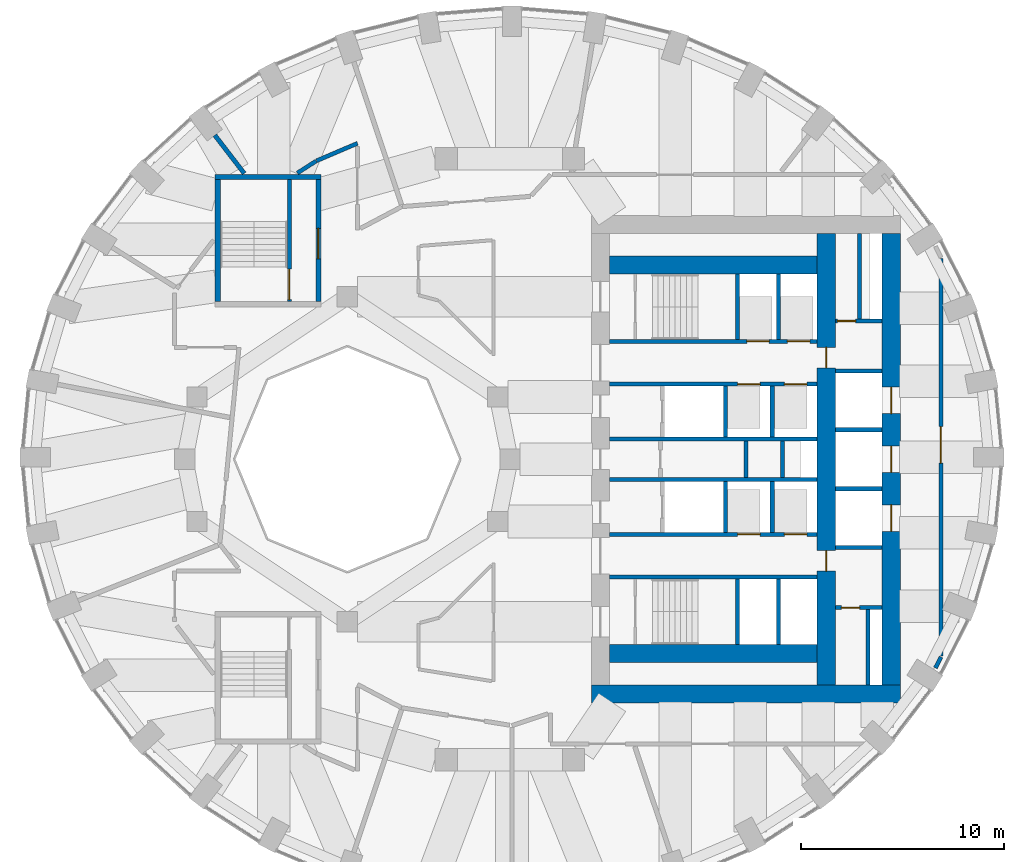
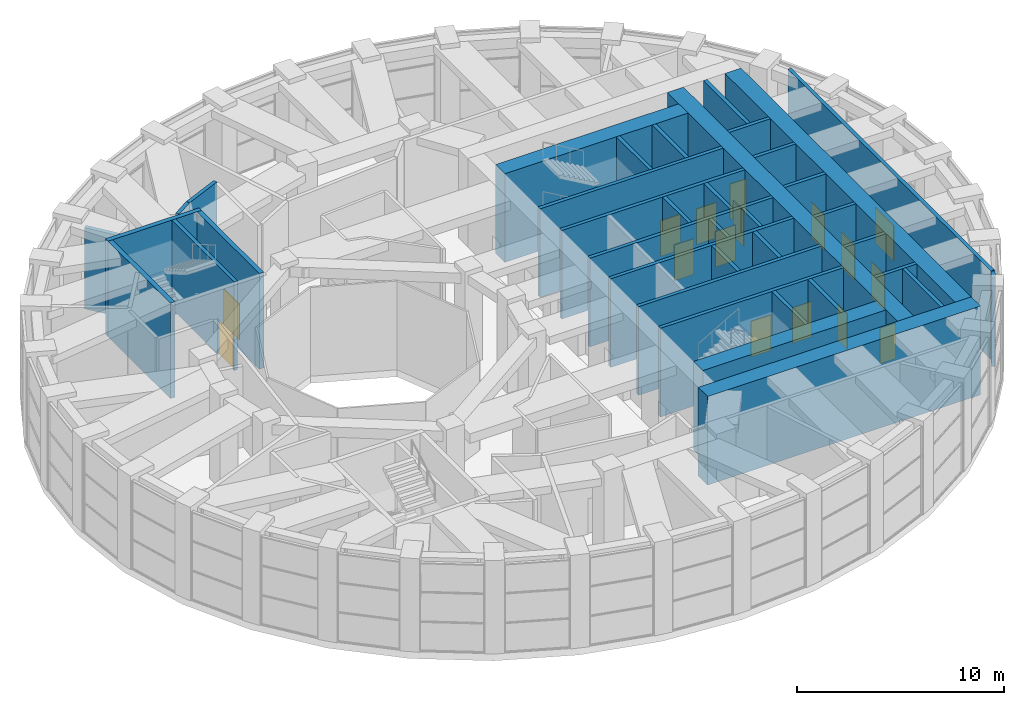
# One storey, part 13 of 17: 38 walls, 16 doors, 16 openings.
"""IFC4 building model written with IfcOpenShell, lengths in metres."""

from ifc_helpers import new_model, si_unit, direction, frame, frame_2d, origin, place, context, subcontext, project, spatial, rectangle, extrude, material, layer, layer_set, type_object, element, fill, save


model = new_model("IFC4")

# Units and contexts
model_context = context("Model", 3, precision=1e-05, world=origin(), true_north=direction((0.0, 1.0)))
body_context = subcontext(model_context, "Body", "Model", "MODEL_VIEW")
ifc_project = project(units=[si_unit("LENGTHUNIT", "METRE"), si_unit("AREAUNIT", "SQUARE_METRE"), si_unit("VOLUMEUNIT", "CUBIC_METRE"), si_unit("PLANEANGLEUNIT", "RADIAN"), si_unit("MASSUNIT", "GRAM", prefix="KILO")], contexts=[model_context])

# Site, building, storey
site_placement = place(None, origin())
site = spatial("IfcSite", under=ifc_project, at=site_placement, CompositionType="ELEMENT")
building_placement = place(site_placement, origin())
building = spatial("IfcBuilding", under=site, at=building_placement, Name="Taillehof Tower", CompositionType="ELEMENT")
storey_placement = place(building_placement, frame((0.0, 0.0, 139.60009765625)))
storey = spatial("IfcBuildingStorey", under=building, at=storey_placement, Name="L39", CompositionType="ELEMENT", Elevation=139.60009765625)

# Walls
ifc_material_1 = material(Name="Calcium silicate masonry", Category="masonry")
ifc_layer_1 = layer(ifc_material_1, 0.199951171875)
ifc_layer_set_1 = layer_set([ifc_layer_1], Name="Compartment wall calcium silicate 200")
wall_type_1 = type_object("IfcWallType", Name="Compartment wall calcium silicate 200", PredefinedType="PARTITIONING", material=ifc_layer_set_1)
for number, where, z_axis, x_axis, name in (
    (1, (11.60009765625, -0.89990234375, 0.0), (0.0, 0.0, 1.0), (0.0, 1.0, 0.0), "Compartment wall FW"),
    (2, (13.39990234375, -0.89990234375, 0.0), (0.0, 0.0, 1.0), (0.0, 1.0, 0.0), "Compartment wall FW"),
):
    element("IfcWall", number, at=place(storey_placement, frame(where, z_axis=z_axis, x_axis=x_axis)), inside=storey, type_object=wall_type_1, Name=name, PredefinedType="PARTITIONING", context=body_context, shape_type="SweptSolid", body=[
        extrude(rectangle(XDim=1.7998046875, YDim=0.199951171875, at=frame_2d((0.89990234375, 0.0))), origin(), (0.0, 0.0, 1.0), 5.219970703125),
    ])

# Wall, opening, door
wall_1_placement = place(storey_placement, frame((16.0, 6.800048828125, 0.0), z_axis=(0.0, 0.0, 1.0), x_axis=(1.0, 0.0, 0.0)))
wall_1 = element("IfcWall", 3, at=wall_1_placement, inside=storey, type_object=wall_type_1, Name="Compartment wall FW", PredefinedType="PARTITIONING", context=body_context, shape_type="SweptSolid", body=[
    extrude(rectangle(XDim=2.300048828125, YDim=0.199951171875, at=frame_2d((1.14990234375, 0.0))), origin(), (0.0, 0.0, 1.0), 5.219970703125),
])
opening_1_placement = place(wall_1_placement, frame((0.10009765625, 0.0, 0.0)))
opening_1 = element("IfcOpeningElement", 4, at=opening_1_placement, cuts=wall_1, Name="Opening D3914", PredefinedType="OPENING", context=body_context, shape_type="SweptSolid", body=[
    extrude(rectangle(XDim=0.89990234375, YDim=2.10009765625, at=frame_2d((0.449951171875, 1.050048828125))), frame((0.0, 0.10986328125, 0.0), z_axis=(0.0, -1.0, 0.0), x_axis=(1.0, 0.0, 0.0)), (0.0, 0.0, 1.0), 0.219970703125),
])
ifc_material_2 = material(Name="Steel-faced fire door", Category="steel")
door_type_1 = type_object("IfcDoorType", Name="Riser and service room door 900x2100", OperationType="SINGLE_SWING_LEFT", PredefinedType="DOOR", material=ifc_material_2)
door_1_placement = place(opening_1_placement, origin())
door_1 = element("IfcDoor", 5, at=door_1_placement, inside=storey, type_object=door_type_1, Name="Door Waste Room", OperationType="SINGLE_SWING_RIGHT", OverallHeight=2.10009765625, OverallWidth=0.89990234375, PredefinedType="DOOR", context=body_context, shape_type="SweptSolid", body=[
    extrude(rectangle(XDim=0.89990234375, YDim=2.10009765625, at=frame_2d((0.449951171875, 1.050048828125))), frame((0.0, 0.02490234375, 0.0), z_axis=(0.0, -1.0, 0.0), x_axis=(1.0, 0.0, 0.0)), (0.0, 0.0, 1.0), 0.050048828125),
])
fill(opening_1, door_1)

# Wall
wall_2_placement = place(storey_placement, frame((17.199951171875, 6.89990234375, 0.0), z_axis=(0.0, 0.0, 1.0), x_axis=(0.0, 1.0, 0.0)))
element("IfcWall", 6, at=wall_2_placement, inside=storey, type_object=wall_type_1, Name="Compartment wall FW", PredefinedType="PARTITIONING", context=body_context, shape_type="SweptSolid", body=[
    extrude(rectangle(XDim=4.2001953125, YDim=0.199951171875, at=frame_2d((2.10009765625, 0.0))), origin(), (0.0, 0.0, 1.0), 5.219970703125),
])

# Wall, opening, door
wall_3_placement = place(storey_placement, frame((16.0, -7.300048828125, 0.0), z_axis=(0.0, 0.0, 1.0), x_axis=(1.0, 0.0, 0.0)))
wall_3 = element("IfcWall", 7, at=wall_3_placement, inside=storey, type_object=wall_type_1, Name="Compartment wall FW", PredefinedType="PARTITIONING", context=body_context, shape_type="SweptSolid", body=[
    extrude(rectangle(XDim=2.300048828125, YDim=0.199951171875, at=frame_2d((1.14990234375, 0.0))), origin(), (0.0, 0.0, 1.0), 5.219970703125),
])
opening_2_placement = place(wall_3_placement, frame((0.300048828125, 0.0, 0.0)))
opening_2 = element("IfcOpeningElement", 8, at=opening_2_placement, cuts=wall_3, Name="Opening D3916", PredefinedType="OPENING", context=body_context, shape_type="SweptSolid", body=[
    extrude(rectangle(XDim=0.89990234375, YDim=2.10009765625, at=frame_2d((0.449951171875, 1.050048828125))), frame((0.0, 0.10986328125, 0.0), z_axis=(0.0, -1.0, 0.0), x_axis=(1.0, 0.0, 0.0)), (0.0, 0.0, 1.0), 0.219970703125),
])
door_2_placement = place(opening_2_placement, origin())
door_2 = element("IfcDoor", 9, at=door_2_placement, inside=storey, type_object=door_type_1, Name="Door Pump Room", OperationType="SINGLE_SWING_LEFT", OverallHeight=2.10009765625, OverallWidth=0.89990234375, PredefinedType="DOOR", context=body_context, shape_type="SweptSolid", body=[
    extrude(rectangle(XDim=0.89990234375, YDim=2.10009765625, at=frame_2d((0.449951171875, 1.050048828125))), frame((0.0, 0.02490234375, 0.0), z_axis=(0.0, -1.0, 0.0), x_axis=(1.0, 0.0, 0.0)), (0.0, 0.0, 1.0), 0.050048828125),
])
fill(opening_2, door_2)

# Walls
wall_4_placement = place(storey_placement, frame((17.60009765625, -11.10009765625, 0.0), z_axis=(0.0, 0.0, 1.0), x_axis=(0.0, 1.0, 0.0)))
element("IfcWall", 10, at=wall_4_placement, inside=storey, type_object=wall_type_1, Name="Compartment wall FW", PredefinedType="PARTITIONING", context=body_context, shape_type="SweptSolid", body=[
    extrude(rectangle(XDim=3.7001953125, YDim=0.199951171875, at=frame_2d((1.85009765625, 0.0))), origin(), (0.0, 0.0, 1.0), 5.219970703125),
])
ifc_material_3 = material(Name="Gypsum board on steel studs, two layers each side", Category="steel")
ifc_layer_2 = layer(ifc_material_3, 0.199951171875)
ifc_layer_set_2 = layer_set([ifc_layer_2], Name="Compartment wall corridor 200")
wall_type_2 = type_object("IfcWallType", Name="Compartment wall corridor 200", PredefinedType="PARTITIONING", material=ifc_layer_set_2)
wall_5_placement = place(storey_placement, frame((-10.457275390625, 14.076904296875, 0.0), z_axis=(0.0, 0.0, 1.0), x_axis=(0.841387536066, 0.540432247513, 0.0)))
element("IfcWall", 11, at=wall_5_placement, inside=storey, type_object=wall_type_2, Name="Compartment wall", PredefinedType="PARTITIONING", context=body_context, shape_type="SweptSolid", body=[
    extrude(rectangle(XDim=1.10009765625, YDim=0.199951171875, at=frame_2d((0.550048828125, 0.0))), origin(), (0.0, 0.0, 1.0), 5.219970703125),
])
wall_6_placement = place(storey_placement, frame((-9.513427734375, 14.67919921875, 0.0), z_axis=(0.0, 0.0, 1.0), x_axis=(0.919404318023, 0.39331374245, 0.0)))
element("IfcWall", 12, at=wall_6_placement, inside=storey, type_object=wall_type_2, Name="Compartment wall", PredefinedType="PARTITIONING", context=body_context, shape_type="SweptSolid", body=[
    extrude(rectangle(XDim=2.18994140625, YDim=0.199951171875, at=frame_2d((1.094970703125, 0.0))), origin(), (0.0, 0.0, 1.0), 5.219970703125),
])

# Wall, opening, door
wall_7_placement = place(storey_placement, frame((21.199951171875, 9.883056640625, 0.0), z_axis=(0.0, 0.0, 1.0), x_axis=(0.0, -1.0, 0.0)))
wall_7 = element("IfcWall", 13, at=wall_7_placement, inside=storey, type_object=wall_type_2, Name="Compartment wall", PredefinedType="PARTITIONING", context=body_context, shape_type="SweptSolid", body=[
    extrude(rectangle(XDim=19.566162109375, YDim=0.199951171875, at=frame_2d((9.783203125, 0.0))), origin(), (0.0, 0.0, 1.0), 5.219970703125),
])
opening_3_placement = place(wall_7_placement, frame((8.277099609375, 0.0, 0.0)))
opening_3 = element("IfcOpeningElement", 14, at=opening_3_placement, cuts=wall_7, Name="Opening D3951", PredefinedType="OPENING", context=body_context, shape_type="SweptSolid", body=[
    extrude(rectangle(XDim=1.800048828125, YDim=2.10009765625, at=frame_2d((0.89990234375, 1.050048828125))), frame((0.0, 0.10986328125, 0.0), z_axis=(0.0, -1.0, 0.0), x_axis=(1.0, 0.0, 0.0)), (0.0, 0.0, 1.0), 0.219970703125),
])
ifc_material_4 = material(Name="Timber door leaf in steel frame", Category="steel")
door_type_2 = type_object("IfcDoorType", Name="Lounge and meeting room double door EI 30 1800 x 2100", OperationType="SINGLE_SWING_LEFT", PredefinedType="DOOR", material=ifc_material_4)
door_3_placement = place(opening_3_placement, origin())
door_3 = element("IfcDoor", 15, at=door_3_placement, inside=storey, type_object=door_type_2, Name="D3951", OperationType="DOUBLE_DOOR_SINGLE_SWING", OverallHeight=2.10009765625, OverallWidth=1.800048828125, PredefinedType="DOOR", context=body_context, shape_type="SweptSolid", body=[
    extrude(rectangle(XDim=1.800048828125, YDim=2.10009765625, at=frame_2d((0.89990234375, 1.050048828125))), frame((0.0, 0.02490234375, 0.0), z_axis=(0.0, -1.0, 0.0), x_axis=(1.0, 0.0, 0.0)), (0.0, 0.0, 1.0), 0.050048828125),
])
fill(opening_3, door_3)

# Walls
wall_8_placement = place(storey_placement, frame((21.199951171875, -9.727294921875, 0.0), z_axis=(0.0, 0.0, 1.0), x_axis=(-0.453065758624, -0.89147709918, 0.0)))
element("IfcWall", 16, at=wall_8_placement, inside=storey, type_object=wall_type_2, Name="Compartment wall", PredefinedType="PARTITIONING", context=body_context, shape_type="SweptSolid", body=[
    extrude(rectangle(XDim=0.599853515625, YDim=0.199951171875, at=frame_2d((0.2998046875, 0.0))), origin(), (0.0, 0.0, 1.0), 5.219970703125),
])
ifc_material_5 = material(Name="Gypsum board on double steel studs with mineral wool", Category="steel")
ifc_layer_3 = layer(ifc_material_5, 0.219970703125)
ifc_layer_set_3 = layer_set([ifc_layer_3], Name="Compartment wall guest room 220")
wall_type_3 = type_object("IfcWallType", Name="Compartment wall guest room 220", PredefinedType="PARTITIONING", material=ifc_layer_set_3)
wall_9_placement = place(storey_placement, frame((-14.515869140625, 15.937255859375, 0.0), z_axis=(0.0, 0.0, 1.0), x_axis=(0.609954593316, -0.792436365958, 0.0)))
element("IfcWall", 17, at=wall_9_placement, inside=storey, type_object=wall_type_3, Name="Compartment wall", PredefinedType="PARTITIONING", context=body_context, shape_type="SweptSolid", body=[
    extrude(rectangle(XDim=2.370849609375, YDim=0.219970703125, at=frame_2d((1.185546875, 0.0))), origin(), (0.0, 0.0, 1.0), 4.77001953125),
])

# Wall, openings, doors
ifc_material_6 = material(Name="Concrete C80/95", Category="concrete")
ifc_layer_4 = layer(ifc_material_6, 0.89990234375)
ifc_layer_set_4 = layer_set([ifc_layer_4], Name="Core wall C80/95 900")
wall_type_4 = type_object("IfcWallType", Name="Core wall C80/95 900", PredefinedType="SHEAR", material=ifc_layer_set_4)
wall_10_placement = place(storey_placement, frame((18.75, -11.10009765625, 0.0), z_axis=(0.0, 0.0, 1.0), x_axis=(0.0, 1.0, 0.0)))
wall_10 = element("IfcWall", 18, at=wall_10_placement, inside=storey, type_object=wall_type_4, Name="Core wall CW02", PredefinedType="SHEAR", context=body_context, shape_type="SweptSolid", body=[
    extrude(rectangle(XDim=22.2001953125, YDim=0.89990234375, at=frame_2d((11.10009765625, 0.0))), origin(), (0.0, 0.0, 1.0), 5.219970703125),
])
opening_4_placement = place(wall_10_placement, frame((7.550048828125, 0.0, 0.0)))
opening_4 = element("IfcOpeningElement", 19, at=opening_4_placement, cuts=wall_10, Name="Opening LD3", PredefinedType="OPENING", context=body_context, shape_type="SweptSolid", body=[
    extrude(rectangle(XDim=1.300048828125, YDim=2.10009765625, at=frame_2d((0.64990234375, 1.050048828125))), frame((0.0, 0.4599609375, 0.0), z_axis=(0.0, -1.0, 0.0), x_axis=(1.0, 0.0, 0.0)), (0.0, 0.0, 1.0), 0.919921875),
])
opening_5_placement = place(wall_10_placement, frame((10.449951171875, 0.0, 0.0)))
opening_5 = element("IfcOpeningElement", 20, at=opening_5_placement, cuts=wall_10, Name="Opening LD3", PredefinedType="OPENING", context=body_context, shape_type="SweptSolid", body=[
    extrude(rectangle(XDim=1.300048828125, YDim=2.10009765625, at=frame_2d((0.64990234375, 1.050048828125))), frame((0.0, 0.4599609375, 0.0), z_axis=(0.0, -1.0, 0.0), x_axis=(1.0, 0.0, 0.0)), (0.0, 0.0, 1.0), 0.919921875),
])
opening_6_placement = place(wall_10_placement, frame((13.35009765625, 0.0, 0.0)))
opening_6 = element("IfcOpeningElement", 21, at=opening_6_placement, cuts=wall_10, Name="Opening LD3", PredefinedType="OPENING", context=body_context, shape_type="SweptSolid", body=[
    extrude(rectangle(XDim=1.300048828125, YDim=2.10009765625, at=frame_2d((0.64990234375, 1.050048828125))), frame((0.0, 0.4599609375, 0.0), z_axis=(0.0, -1.0, 0.0), x_axis=(1.0, 0.0, 0.0)), (0.0, 0.0, 1.0), 0.919921875),
])
ifc_material_7 = material(Name="Stainless steel", Category="steel")
door_type_3 = type_object("IfcDoorType", Name="Lift landing door LD3 1300x2100", OperationType="DOUBLE_DOOR_SLIDING", PredefinedType="DOOR", material=ifc_material_7)
door_4_placement = place(opening_4_placement, origin())
door_4 = element("IfcDoor", 22, at=door_4_placement, inside=storey, type_object=door_type_3, Name="Landing door SH1", OperationType="DOUBLE_DOOR_SLIDING", OverallHeight=2.10009765625, OverallWidth=1.300048828125, PredefinedType="DOOR", context=body_context, shape_type="SweptSolid", body=[
    extrude(rectangle(XDim=1.300048828125, YDim=2.10009765625, at=frame_2d((0.64990234375, 1.050048828125))), frame((0.0, 0.02490234375, 0.0), z_axis=(0.0, -1.0, 0.0), x_axis=(1.0, 0.0, 0.0)), (0.0, 0.0, 1.0), 0.050048828125),
])
fill(opening_4, door_4)
door_5_placement = place(opening_5_placement, origin())
door_5 = element("IfcDoor", 23, at=door_5_placement, inside=storey, type_object=door_type_3, Name="Landing door SH2", OperationType="DOUBLE_DOOR_SLIDING", OverallHeight=2.10009765625, OverallWidth=1.300048828125, PredefinedType="DOOR", context=body_context, shape_type="SweptSolid", body=[
    extrude(rectangle(XDim=1.300048828125, YDim=2.10009765625, at=frame_2d((0.64990234375, 1.050048828125))), frame((0.0, 0.02490234375, 0.0), z_axis=(0.0, -1.0, 0.0), x_axis=(1.0, 0.0, 0.0)), (0.0, 0.0, 1.0), 0.050048828125),
])
fill(opening_5, door_5)
door_6_placement = place(opening_6_placement, origin())
door_6 = element("IfcDoor", 24, at=door_6_placement, inside=storey, type_object=door_type_3, Name="Landing door SH3", OperationType="DOUBLE_DOOR_SLIDING", OverallHeight=2.10009765625, OverallWidth=1.300048828125, PredefinedType="DOOR", context=body_context, shape_type="SweptSolid", body=[
    extrude(rectangle(XDim=1.300048828125, YDim=2.10009765625, at=frame_2d((0.64990234375, 1.050048828125))), frame((0.0, 0.02490234375, 0.0), z_axis=(0.0, -1.0, 0.0), x_axis=(1.0, 0.0, 0.0)), (0.0, 0.0, 1.0), 0.050048828125),
])
fill(opening_6, door_6)

# Wall
wall_11_placement = place(storey_placement, frame((4.0, -11.550048828125, 0.0), z_axis=(0.0, 0.0, 1.0), x_axis=(1.0, 0.0, 0.0)))
element("IfcWall", 25, at=wall_11_placement, inside=storey, type_object=wall_type_4, Name="Core wall CW04", PredefinedType="SHEAR", context=body_context, shape_type="SweptSolid", body=[
    extrude(rectangle(XDim=15.199951171875, YDim=0.89990234375, at=frame_2d((7.60009765625, 0.0))), origin(), (0.0, 0.0, 1.0), 5.219970703125),
])

# Wall, openings, doors
wall_12_placement = place(storey_placement, frame((15.550048828125, -11.10009765625, 0.0), z_axis=(0.0, 0.0, 1.0), x_axis=(0.0, 1.0, 0.0)))
wall_12 = element("IfcWall", 26, at=wall_12_placement, inside=storey, type_object=wall_type_4, Name="Core wall CW05", PredefinedType="SHEAR", context=body_context, shape_type="SweptSolid", body=[
    extrude(rectangle(XDim=22.2001953125, YDim=0.89990234375, at=frame_2d((11.10009765625, 0.0))), origin(), (0.0, 0.0, 1.0), 5.219970703125),
])
opening_7_placement = place(wall_12_placement, frame((15.60009765625, 0.0, 0.0)))
opening_7 = element("IfcOpeningElement", 27, at=opening_7_placement, cuts=wall_12, Name="Opening D3913", PredefinedType="OPENING", context=body_context, shape_type="SweptSolid", body=[
    extrude(rectangle(XDim=1.0, YDim=2.10009765625, at=frame_2d((0.5, 1.050048828125))), frame((0.0, 0.4599609375, 0.0), z_axis=(0.0, -1.0, 0.0), x_axis=(1.0, 0.0, 0.0)), (0.0, 0.0, 1.0), 0.919921875),
])
opening_8_placement = place(wall_12_placement, frame((5.60009765625, 0.0, 0.0)))
opening_8 = element("IfcOpeningElement", 28, at=opening_8_placement, cuts=wall_12, Name="Opening D3915", PredefinedType="OPENING", context=body_context, shape_type="SweptSolid", body=[
    extrude(rectangle(XDim=1.0, YDim=2.10009765625, at=frame_2d((0.5, 1.050048828125))), frame((0.0, 0.4599609375, 0.0), z_axis=(0.0, -1.0, 0.0), x_axis=(1.0, 0.0, 0.0)), (0.0, 0.0, 1.0), 0.919921875),
])
ifc_material_8 = material(Name="Steel-faced fire door", Category="steel")
door_type_4 = type_object("IfcDoorType", Name="Service door 1000x2100", OperationType="SINGLE_SWING_RIGHT", PredefinedType="DOOR", material=ifc_material_8)
door_7_placement = place(opening_7_placement, origin())
door_7 = element("IfcDoor", 29, at=door_7_placement, inside=storey, type_object=door_type_4, Name="Service door strip", OperationType="SINGLE_SWING_RIGHT", OverallHeight=2.10009765625, OverallWidth=1.0, PredefinedType="DOOR", context=body_context, shape_type="SweptSolid", body=[
    extrude(rectangle(XDim=1.0, YDim=2.10009765625, at=frame_2d((0.5, 1.050048828125))), frame((0.0, 0.02490234375, 0.0), z_axis=(0.0, -1.0, 0.0), x_axis=(1.0, 0.0, 0.0)), (0.0, 0.0, 1.0), 0.050048828125),
])
fill(opening_7, door_7)
door_8_placement = place(opening_8_placement, origin())
door_8 = element("IfcDoor", 30, at=door_8_placement, inside=storey, type_object=door_type_4, Name="Service door strip", OperationType="SINGLE_SWING_LEFT", OverallHeight=2.10009765625, OverallWidth=1.0, PredefinedType="DOOR", context=body_context, shape_type="SweptSolid", body=[
    extrude(rectangle(XDim=1.0, YDim=2.10009765625, at=frame_2d((0.5, 1.050048828125))), frame((0.0, 0.02490234375, 0.0), z_axis=(0.0, -1.0, 0.0), x_axis=(1.0, 0.0, 0.0)), (0.0, 0.0, 1.0), 0.050048828125),
])
fill(opening_8, door_8)

# Walls
for number, where, z_axis, x_axis, name in (
    (31, (4.89990234375, 9.550048828125, 0.0), (0.0, 0.0, 1.0), (1.0, 0.0, 0.0), "Core wall CW06"),
    (32, (4.89990234375, -9.550048828125, 0.0), (0.0, 0.0, 1.0), (1.0, 0.0, 0.0), "Core wall CW07"),
):
    element("IfcWall", number, at=place(storey_placement, frame(where, z_axis=z_axis, x_axis=x_axis)), inside=storey, type_object=wall_type_4, Name=name, PredefinedType="SHEAR", context=body_context, shape_type="SweptSolid", body=[
        extrude(rectangle(XDim=10.2001953125, YDim=0.89990234375, at=frame_2d((5.10009765625, 0.0))), origin(), (0.0, 0.0, 1.0), 5.219970703125),
    ])

# Wall, openings, doors
ifc_material_9 = material(Name="Concrete C50/60", Category="concrete")
ifc_layer_5 = layer(ifc_material_9, 0.199951171875)
ifc_layer_set_5 = layer_set([ifc_layer_5], Name="Shaft wall C50/60 200")
wall_type_5 = type_object("IfcWallType", Name="Shaft wall C50/60 200", PredefinedType="SHEAR", material=ifc_layer_set_5)
wall_13_placement = place(storey_placement, frame((4.89990234375, 5.800048828125, 0.0), z_axis=(0.0, 0.0, 1.0), x_axis=(1.0, 0.0, 0.0)))
wall_13 = element("IfcWall", 33, at=wall_13_placement, inside=storey, type_object=wall_type_5, Name="Shaft wall SW", PredefinedType="SHEAR", context=body_context, shape_type="SweptSolid", body=[
    extrude(rectangle(XDim=10.2001953125, YDim=0.199951171875, at=frame_2d((5.10009765625, 0.0))), origin(), (0.0, 0.0, 1.0), 5.219970703125),
])
opening_9_placement = place(wall_13_placement, frame((6.75, 0.0, 0.0)))
opening_9 = element("IfcOpeningElement", 34, at=opening_9_placement, cuts=wall_13, Name="Opening LD1", PredefinedType="OPENING", context=body_context, shape_type="SweptSolid", body=[
    extrude(rectangle(XDim=1.10009765625, YDim=2.10009765625, at=frame_2d((0.550048828125, 1.050048828125))), frame((0.0, 0.10986328125, 0.0), z_axis=(0.0, -1.0, 0.0), x_axis=(1.0, 0.0, 0.0)), (0.0, 0.0, 1.0), 0.219970703125),
])
opening_10_placement = place(wall_13_placement, frame((8.75, 0.0, 0.0)))
opening_10 = element("IfcOpeningElement", 35, at=opening_10_placement, cuts=wall_13, Name="Opening LD1", PredefinedType="OPENING", context=body_context, shape_type="SweptSolid", body=[
    extrude(rectangle(XDim=1.10009765625, YDim=2.10009765625, at=frame_2d((0.550048828125, 1.050048828125))), frame((0.0, 0.10986328125, 0.0), z_axis=(0.0, -1.0, 0.0), x_axis=(1.0, 0.0, 0.0)), (0.0, 0.0, 1.0), 0.219970703125),
])
ifc_material_10 = material(Name="Stainless steel", Category="steel")
door_type_5 = type_object("IfcDoorType", Name="Lift landing door LD1 1100x2100", OperationType="DOUBLE_DOOR_SLIDING", PredefinedType="DOOR", material=ifc_material_10)
door_9_placement = place(opening_9_placement, origin())
door_9 = element("IfcDoor", 36, at=door_9_placement, inside=storey, type_object=door_type_5, Name="Landing door LR1 and HR1", OperationType="DOUBLE_DOOR_SLIDING", OverallHeight=2.10009765625, OverallWidth=1.10009765625, PredefinedType="DOOR", context=body_context, shape_type="SweptSolid", body=[
    extrude(rectangle(XDim=1.10009765625, YDim=2.10009765625, at=frame_2d((0.550048828125, 1.050048828125))), frame((0.0, 0.02490234375, 0.0), z_axis=(0.0, -1.0, 0.0), x_axis=(1.0, 0.0, 0.0)), (0.0, 0.0, 1.0), 0.050048828125),
])
fill(opening_9, door_9)
door_10_placement = place(opening_10_placement, origin())
door_10 = element("IfcDoor", 37, at=door_10_placement, inside=storey, type_object=door_type_5, Name="Landing door LR2 and HR2", OperationType="DOUBLE_DOOR_SLIDING", OverallHeight=2.10009765625, OverallWidth=1.10009765625, PredefinedType="DOOR", context=body_context, shape_type="SweptSolid", body=[
    extrude(rectangle(XDim=1.10009765625, YDim=2.10009765625, at=frame_2d((0.550048828125, 1.050048828125))), frame((0.0, 0.02490234375, 0.0), z_axis=(0.0, -1.0, 0.0), x_axis=(1.0, 0.0, 0.0)), (0.0, 0.0, 1.0), 0.050048828125),
])
fill(opening_10, door_10)

wall_14_placement = place(storey_placement, frame((4.89990234375, 3.699951171875, 0.0), z_axis=(0.0, 0.0, 1.0), x_axis=(1.0, 0.0, 0.0)))
wall_14 = element("IfcWall", 38, at=wall_14_placement, inside=storey, type_object=wall_type_5, Name="Shaft wall SW", PredefinedType="SHEAR", context=body_context, shape_type="SweptSolid", body=[
    extrude(rectangle(XDim=10.2001953125, YDim=0.199951171875, at=frame_2d((5.10009765625, 0.0))), origin(), (0.0, 0.0, 1.0), 5.219970703125),
])
opening_11_placement = place(wall_14_placement, frame((6.300048828125, 0.0, 0.0)))
opening_11 = element("IfcOpeningElement", 39, at=opening_11_placement, cuts=wall_14, Name="Opening LD1", PredefinedType="OPENING", context=body_context, shape_type="SweptSolid", body=[
    extrude(rectangle(XDim=1.10009765625, YDim=2.10009765625, at=frame_2d((0.550048828125, 1.050048828125))), frame((0.0, 0.10986328125, 0.0), z_axis=(0.0, -1.0, 0.0), x_axis=(1.0, 0.0, 0.0)), (0.0, 0.0, 1.0), 0.219970703125),
])
opening_12_placement = place(wall_14_placement, frame((8.60009765625, 0.0, 0.0)))
opening_12 = element("IfcOpeningElement", 40, at=opening_12_placement, cuts=wall_14, Name="Opening LD1", PredefinedType="OPENING", context=body_context, shape_type="SweptSolid", body=[
    extrude(rectangle(XDim=1.10009765625, YDim=2.10009765625, at=frame_2d((0.550048828125, 1.050048828125))), frame((0.0, 0.10986328125, 0.0), z_axis=(0.0, -1.0, 0.0), x_axis=(1.0, 0.0, 0.0)), (0.0, 0.0, 1.0), 0.219970703125),
])
door_11_placement = place(opening_11_placement, origin())
door_11 = element("IfcDoor", 41, at=door_11_placement, inside=storey, type_object=door_type_5, Name="Landing door LR3 and HR3", OperationType="DOUBLE_DOOR_SLIDING", OverallHeight=2.10009765625, OverallWidth=1.10009765625, PredefinedType="DOOR", context=body_context, shape_type="SweptSolid", body=[
    extrude(rectangle(XDim=1.10009765625, YDim=2.10009765625, at=frame_2d((0.550048828125, 1.050048828125))), frame((0.0, 0.02490234375, 0.0), z_axis=(0.0, -1.0, 0.0), x_axis=(1.0, 0.0, 0.0)), (0.0, 0.0, 1.0), 0.050048828125),
])
fill(opening_11, door_11)
door_12_placement = place(opening_12_placement, origin())
door_12 = element("IfcDoor", 42, at=door_12_placement, inside=storey, type_object=door_type_5, Name="Landing door LR4 and HR4", OperationType="DOUBLE_DOOR_SLIDING", OverallHeight=2.10009765625, OverallWidth=1.10009765625, PredefinedType="DOOR", context=body_context, shape_type="SweptSolid", body=[
    extrude(rectangle(XDim=1.10009765625, YDim=2.10009765625, at=frame_2d((0.550048828125, 1.050048828125))), frame((0.0, 0.02490234375, 0.0), z_axis=(0.0, -1.0, 0.0), x_axis=(1.0, 0.0, 0.0)), (0.0, 0.0, 1.0), 0.050048828125),
])
fill(opening_12, door_12)

# Walls
for number, where, z_axis, x_axis, name in (
    (43, (4.89990234375, 1.0, 0.0), (0.0, 0.0, 1.0), (1.0, 0.0, 0.0), "Shaft wall SW"),
    (44, (4.89990234375, -1.0, 0.0), (0.0, 0.0, 1.0), (1.0, 0.0, 0.0), "Shaft wall SW"),
):
    element("IfcWall", number, at=place(storey_placement, frame(where, z_axis=z_axis, x_axis=x_axis)), inside=storey, type_object=wall_type_5, Name=name, PredefinedType="SHEAR", context=body_context, shape_type="SweptSolid", body=[
        extrude(rectangle(XDim=10.2001953125, YDim=0.199951171875, at=frame_2d((5.10009765625, 0.0))), origin(), (0.0, 0.0, 1.0), 5.219970703125),
    ])

# Wall, openings, doors
wall_15_placement = place(storey_placement, frame((4.89990234375, -3.699951171875, 0.0), z_axis=(0.0, 0.0, 1.0), x_axis=(1.0, 0.0, 0.0)))
wall_15 = element("IfcWall", 45, at=wall_15_placement, inside=storey, type_object=wall_type_5, Name="Shaft wall SW", PredefinedType="SHEAR", context=body_context, shape_type="SweptSolid", body=[
    extrude(rectangle(XDim=10.2001953125, YDim=0.199951171875, at=frame_2d((5.10009765625, 0.0))), origin(), (0.0, 0.0, 1.0), 5.219970703125),
])
opening_13_placement = place(wall_15_placement, frame((6.300048828125, 0.0, 0.0)))
opening_13 = element("IfcOpeningElement", 46, at=opening_13_placement, cuts=wall_15, Name="Opening LD1", PredefinedType="OPENING", context=body_context, shape_type="SweptSolid", body=[
    extrude(rectangle(XDim=1.10009765625, YDim=2.10009765625, at=frame_2d((0.550048828125, 1.050048828125))), frame((0.0, 0.10986328125, 0.0), z_axis=(0.0, -1.0, 0.0), x_axis=(1.0, 0.0, 0.0)), (0.0, 0.0, 1.0), 0.219970703125),
])
opening_14_placement = place(wall_15_placement, frame((8.60009765625, 0.0, 0.0)))
opening_14 = element("IfcOpeningElement", 47, at=opening_14_placement, cuts=wall_15, Name="Opening LD1", PredefinedType="OPENING", context=body_context, shape_type="SweptSolid", body=[
    extrude(rectangle(XDim=1.10009765625, YDim=2.10009765625, at=frame_2d((0.550048828125, 1.050048828125))), frame((0.0, 0.10986328125, 0.0), z_axis=(0.0, -1.0, 0.0), x_axis=(1.0, 0.0, 0.0)), (0.0, 0.0, 1.0), 0.219970703125),
])
door_13_placement = place(opening_13_placement, origin())
door_13 = element("IfcDoor", 48, at=door_13_placement, inside=storey, type_object=door_type_5, Name="Landing door LR5 and HR5", OperationType="DOUBLE_DOOR_SLIDING", OverallHeight=2.10009765625, OverallWidth=1.10009765625, PredefinedType="DOOR", context=body_context, shape_type="SweptSolid", body=[
    extrude(rectangle(XDim=1.10009765625, YDim=2.10009765625, at=frame_2d((0.550048828125, 1.050048828125))), frame((0.0, 0.02490234375, 0.0), z_axis=(0.0, -1.0, 0.0), x_axis=(1.0, 0.0, 0.0)), (0.0, 0.0, 1.0), 0.050048828125),
])
fill(opening_13, door_13)
door_14_placement = place(opening_14_placement, origin())
door_14 = element("IfcDoor", 49, at=door_14_placement, inside=storey, type_object=door_type_5, Name="Landing door LR6 and HR6", OperationType="DOUBLE_DOOR_SLIDING", OverallHeight=2.10009765625, OverallWidth=1.10009765625, PredefinedType="DOOR", context=body_context, shape_type="SweptSolid", body=[
    extrude(rectangle(XDim=1.10009765625, YDim=2.10009765625, at=frame_2d((0.550048828125, 1.050048828125))), frame((0.0, 0.02490234375, 0.0), z_axis=(0.0, -1.0, 0.0), x_axis=(1.0, 0.0, 0.0)), (0.0, 0.0, 1.0), 0.050048828125),
])
fill(opening_14, door_14)

# Walls
wall_16_placement = place(storey_placement, frame((4.89990234375, -5.800048828125, 0.0), z_axis=(0.0, 0.0, 1.0), x_axis=(1.0, 0.0, 0.0)))
element("IfcWall", 50, at=wall_16_placement, inside=storey, type_object=wall_type_5, Name="Shaft wall SW", PredefinedType="SHEAR", context=body_context, shape_type="SweptSolid", body=[
    extrude(rectangle(XDim=10.2001953125, YDim=0.199951171875, at=frame_2d((5.10009765625, 0.0))), origin(), (0.0, 0.0, 1.0), 5.219970703125),
])
for number, where, z_axis, x_axis, name in (
    (51, (11.199951171875, 5.89990234375, 0.0), (0.0, 0.0, 1.0), (0.0, 1.0, 0.0), "Shaft wall SW"),
    (52, (11.199951171875, -9.10009765625, 0.0), (0.0, 0.0, 1.0), (0.0, 1.0, 0.0), "Shaft wall SW"),
    (53, (13.199951171875, 5.89990234375, 0.0), (0.0, 0.0, 1.0), (0.0, 1.0, 0.0), "Shaft wall SW"),
    (54, (13.199951171875, -9.10009765625, 0.0), (0.0, 0.0, 1.0), (0.0, 1.0, 0.0), "Shaft wall SW"),
):
    element("IfcWall", number, at=place(storey_placement, frame(where, z_axis=z_axis, x_axis=x_axis)), inside=storey, type_object=wall_type_5, Name=name, PredefinedType="SHEAR", context=body_context, shape_type="SweptSolid", body=[
        extrude(rectangle(XDim=3.2001953125, YDim=0.199951171875, at=frame_2d((1.60009765625, 0.0))), origin(), (0.0, 0.0, 1.0), 5.219970703125),
    ])
for number, where, z_axis, x_axis, name in (
    (55, (10.60009765625, 1.10009765625, 0.0), (0.0, 0.0, 1.0), (0.0, 1.0, 0.0), "Shaft wall SW"),
    (56, (10.60009765625, -3.60009765625, 0.0), (0.0, 0.0, 1.0), (0.0, 1.0, 0.0), "Shaft wall SW"),
    (57, (12.89990234375, 1.10009765625, 0.0), (0.0, 0.0, 1.0), (0.0, 1.0, 0.0), "Shaft wall SW"),
    (58, (12.89990234375, -3.60009765625, 0.0), (0.0, 0.0, 1.0), (0.0, 1.0, 0.0), "Shaft wall SW"),
):
    element("IfcWall", number, at=place(storey_placement, frame(where, z_axis=z_axis, x_axis=x_axis)), inside=storey, type_object=wall_type_5, Name=name, PredefinedType="SHEAR", context=body_context, shape_type="SweptSolid", body=[
        extrude(rectangle(XDim=2.5, YDim=0.199951171875, at=frame_2d((1.25, 0.0))), origin(), (0.0, 0.0, 1.0), 5.219970703125),
    ])

# Wall, opening, door
wall_17_placement = place(storey_placement, frame((-10.85009765625, 7.75, 0.0), z_axis=(0.0, 0.0, 1.0), x_axis=(0.0, 1.0, 0.0)))
wall_17 = element("IfcWall", 59, at=wall_17_placement, inside=storey, type_object=wall_type_5, Name="Shaft wall SW", PredefinedType="SHEAR", context=body_context, shape_type="SweptSolid", body=[
    extrude(rectangle(XDim=6.0, YDim=0.199951171875, at=frame_2d((3.0, 0.0))), origin(), (0.0, 0.0, 1.0), 5.219970703125),
])
opening_15_placement = place(wall_17_placement, frame((0.10009765625, 0.0, 0.0)))
opening_15 = element("IfcOpeningElement", 60, at=opening_15_placement, cuts=wall_17, Name="Opening D3910", PredefinedType="OPENING", context=body_context, shape_type="SweptSolid", body=[
    extrude(rectangle(XDim=1.5, YDim=2.10009765625, at=frame_2d((0.75, 1.050048828125))), frame((0.0, 0.10986328125, 0.0), z_axis=(0.0, -1.0, 0.0), x_axis=(1.0, 0.0, 0.0)), (0.0, 0.0, 1.0), 0.219970703125),
])
ifc_material_11 = material(Name="Steel-faced fire door", Category="steel")
door_type_6 = type_object("IfcDoorType", Name="Stair door 1500x2100", OperationType="DOUBLE_DOOR_SINGLE_SWING", PredefinedType="DOOR", material=ifc_material_11)
door_15_placement = place(opening_15_placement, origin())
door_15 = element("IfcDoor", 61, at=door_15_placement, inside=storey, type_object=door_type_6, Name="Stair lobby door S3", OperationType="DOUBLE_DOOR_SINGLE_SWING", OverallHeight=2.10009765625, OverallWidth=1.5, PredefinedType="DOOR", context=body_context, shape_type="SweptSolid", body=[
    extrude(rectangle(XDim=1.5, YDim=2.10009765625, at=frame_2d((0.75, 1.050048828125))), frame((0.0, 0.02490234375, 0.0), z_axis=(0.0, -1.0, 0.0), x_axis=(1.0, 0.0, 0.0)), (0.0, 0.0, 1.0), 0.050048828125),
])
fill(opening_15, door_15)

# Walls
for number, where, z_axis, x_axis, name in (
    (62, (16.0, -4.35009765625, 0.0), (0.0, 0.0, 1.0), (1.0, 0.0, 0.0), "Shaft wall SW"),
    (63, (16.0, -1.449951171875, 0.0), (0.0, 0.0, 1.0), (1.0, 0.0, 0.0), "Shaft wall SW"),
    (64, (16.0, 1.449951171875, 0.0), (0.0, 0.0, 1.0), (1.0, 0.0, 0.0), "Shaft wall SW"),
    (65, (16.0, 4.35009765625, 0.0), (0.0, 0.0, 1.0), (1.0, 0.0, 0.0), "Shaft wall SW"),
):
    element("IfcWall", number, at=place(storey_placement, frame(where, z_axis=z_axis, x_axis=x_axis)), inside=storey, type_object=wall_type_5, Name=name, PredefinedType="SHEAR", context=body_context, shape_type="SweptSolid", body=[
        extrude(rectangle(XDim=2.300048828125, YDim=0.199951171875, at=frame_2d((1.14990234375, 0.0))), origin(), (0.0, 0.0, 1.0), 5.219970703125),
    ])
ifc_material_12 = material(Name="Concrete C50/60", Category="concrete")
ifc_layer_6 = layer(ifc_material_12, 0.25)
ifc_layer_set_6 = layer_set([ifc_layer_6], Name="Stair wall C50/60 250")
wall_type_6 = type_object("IfcWallType", Name="Stair wall C50/60 250", PredefinedType="SHEAR", material=ifc_layer_set_6)
wall_18_placement = place(storey_placement, frame((-14.375, 7.75, -0.41015625), z_axis=(0.0, 0.0, 1.0), x_axis=(0.0, 1.0, 0.0)))
element("IfcWall", 66, at=wall_18_placement, inside=storey, type_object=wall_type_6, Name="Stair wall SC", PredefinedType="SHEAR", context=body_context, shape_type="SweptSolid", body=[
    extrude(rectangle(XDim=6.0, YDim=0.25, at=frame_2d((3.0, 0.0))), origin(), (0.0, 0.0, 1.0), 5.630126953125),
])

# Wall, opening, door
wall_19_placement = place(storey_placement, frame((-9.425048828125, 7.75, -0.41015625), z_axis=(0.0, 0.0, 1.0), x_axis=(0.0, 1.0, 0.0)))
wall_19 = element("IfcWall", 67, at=wall_19_placement, inside=storey, type_object=wall_type_6, Name="Stair wall SC", PredefinedType="SHEAR", context=body_context, shape_type="SweptSolid", body=[
    extrude(rectangle(XDim=6.0, YDim=0.25, at=frame_2d((3.0, 0.0))), origin(), (0.0, 0.0, 1.0), 5.630126953125),
])
opening_16_placement = place(wall_19_placement, frame((2.10009765625, 0.0, 0.409912109375)))
opening_16 = element("IfcOpeningElement", 68, at=opening_16_placement, cuts=wall_19, Name="Opening D3917", PredefinedType="OPENING", context=body_context, shape_type="SweptSolid", body=[
    extrude(rectangle(XDim=1.5, YDim=2.10009765625, at=frame_2d((0.75, 1.050048828125))), frame((0.0, 0.135009765625, 0.0), z_axis=(0.0, -1.0, 0.0), x_axis=(1.0, 0.0, 0.0)), (0.0, 0.0, 1.0), 0.27001953125),
])
door_16_placement = place(opening_16_placement, origin())
door_16 = element("IfcDoor", 69, at=door_16_placement, inside=storey, type_object=door_type_6, Name="Stair door S3", OperationType="DOUBLE_DOOR_SINGLE_SWING", OverallHeight=2.10009765625, OverallWidth=1.5, PredefinedType="DOOR", context=body_context, shape_type="SweptSolid", body=[
    extrude(rectangle(XDim=1.5, YDim=2.10009765625, at=frame_2d((0.75, 1.050048828125))), frame((0.0, 0.02490234375, 0.0), z_axis=(0.0, -1.0, 0.0), x_axis=(1.0, 0.0, 0.0)), (0.0, 0.0, 1.0), 0.050048828125),
])
fill(opening_16, door_16)

# Wall
wall_20_placement = place(storey_placement, frame((-14.5, 13.875, -0.41015625), z_axis=(0.0, 0.0, 1.0), x_axis=(1.0, 0.0, 0.0)))
element("IfcWall", 70, at=wall_20_placement, inside=storey, type_object=wall_type_6, Name="Stair wall SC", PredefinedType="SHEAR", context=body_context, shape_type="SweptSolid", body=[
    extrude(rectangle(XDim=5.199951171875, YDim=0.25, at=frame_2d((2.60009765625, 0.0))), origin(), (0.0, 0.0, 1.0), 5.630126953125),
])

save(model, "model.ifc")
